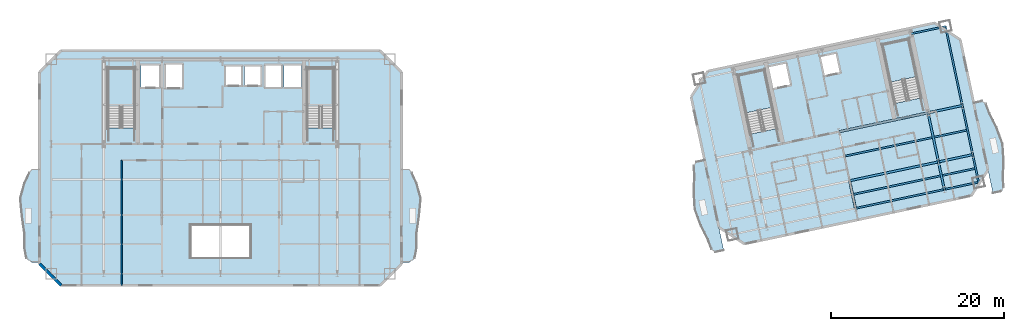
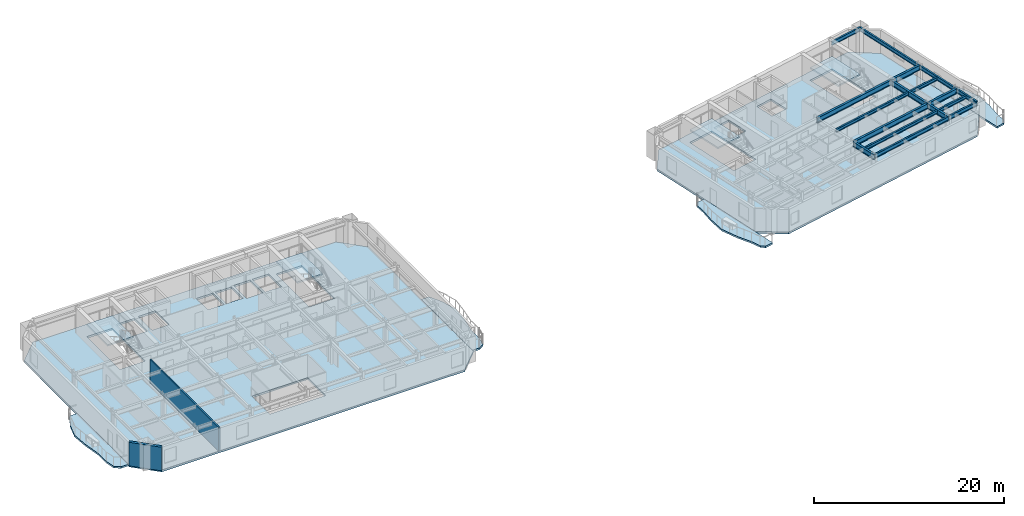
# One storey, part 4 of 13: 17 beams, 10 slabs, 2 walls, 4 elements without a shape of their own.
"""IFC4 building model written with IfcOpenShell, lengths in metres."""

import ifcopenshell
import ifcopenshell.guid

model = None  # the IFC model being written
_history = None  # IfcOwnerHistory: only IFC2X3 demands one
_inside = {}  # id of a spatial element -> (the spatial element, [elements in it])
_under = {}  # id of a project, library or spatial element -> (it, [spatial elements below it])
_declared = {}  # id of a project -> (the project, [libraries it declares])
_typed = {}  # id of a type object -> (the type object, [elements of that type])
_made_of = {}  # id of a material, layer set ... -> (it, [elements and type objects made of it])


def new_model(schema):
    """Start an empty IFC model of exactly this schema.

    Asked for "IFC4X3", IfcOpenShell would pick the latest addendum, in which some entities
    have other attributes; the version numbers below select the first issue.
    IFC2X3 requires an IfcOwnerHistory on every rooted entity: one is made here for all.
    """
    global model, _history
    if schema == "IFC4X3":
        model = ifcopenshell.file(schema_version=(4, 3, 0, 0))
    else:
        model = ifcopenshell.file(schema=schema)
    _inside.clear()
    _under.clear()
    _declared.clear()
    _typed.clear()
    _made_of.clear()
    _history = None
    if model.schema == "IFC2X3":
        org = make("IfcOrganization", Name="unknown")
        user = make(
            "IfcPersonAndOrganization",
            ThePerson=make("IfcPerson", FamilyName="unknown"),
            TheOrganization=org,
        )
        app = make(
            "IfcApplication",
            ApplicationDeveloper=org,
            Version="unknown",
            ApplicationFullName="unknown",
            ApplicationIdentifier="unknown",
        )
        _history = make(
            "IfcOwnerHistory",
            OwningUser=user,
            OwningApplication=app,
            ChangeAction="ADDED",
            CreationDate=0,
        )
    return model


def make(cls, **values):
    """One entity of the class cls with the attributes given. An attribute that is None is left unset."""
    return model.create_entity(
        cls, **{name: value for name, value in values.items() if value is not None}
    )


def rooted(cls, **values):
    """An entity with a GlobalId (a new one), such as an element, a storey or a relation."""
    return make(cls, GlobalId=ifcopenshell.guid.new(), OwnerHistory=_history, **values)


def si_unit(unit_type, name, prefix=None):
    """IfcSIUnit, for example si_unit("LENGTHUNIT", "METRE", prefix="MILLI")."""
    return make("IfcSIUnit", UnitType=unit_type, Prefix=prefix, Name=name)


def assignment(units):
    """IfcUnitAssignment: the units of a project."""
    return None if units is None else make("IfcUnitAssignment", Units=units)


def point(xyz):
    """IfcCartesianPoint."""
    return None if xyz is None else make("IfcCartesianPoint", Coordinates=xyz)


def direction(xyz):
    """IfcDirection."""
    return None if xyz is None else make("IfcDirection", DirectionRatios=xyz)


def frame(location, z_axis=None, x_axis=None):
    """IfcAxis2Placement3D, a coordinate frame: its origin and axes. An axis left out is left unset."""
    return make(
        "IfcAxis2Placement3D",
        Location=point(location),
        Axis=direction(z_axis),
        RefDirection=direction(x_axis),
    )


def frame_2d(location, x_axis=None):
    """IfcAxis2Placement2D, a coordinate frame in the plane: its origin and x axis."""
    return make(
        "IfcAxis2Placement2D", Location=point(location), RefDirection=direction(x_axis)
    )


def origin():
    """The frame at (0, 0, 0) with its axes left unset."""
    return frame((0.0, 0.0, 0.0))


def origin_2d():
    """The frame at (0, 0) in the plane with its x axis left unset."""
    return frame_2d((0.0, 0.0))


def place(relative_to, where):
    """IfcLocalPlacement: puts the frame where relative to a parent placement (None: the world)."""
    return make(
        "IfcLocalPlacement", PlacementRelTo=relative_to, RelativePlacement=where
    )


def context(
    kind, dimensions, precision=None, world=None, true_north=None, identifier=None
):
    """IfcGeometricRepresentationContext, for example the 3D "Model" context."""
    return make(
        "IfcGeometricRepresentationContext",
        ContextIdentifier=identifier,
        ContextType=kind,
        CoordinateSpaceDimension=dimensions,
        Precision=precision,
        WorldCoordinateSystem=world,
        TrueNorth=true_north,
    )


def subcontext(parent, identifier, kind, view, scale=None):
    """IfcGeometricRepresentationSubContext, for example "Body" below "Model"."""
    return make(
        "IfcGeometricRepresentationSubContext",
        ContextIdentifier=identifier,
        ContextType=kind,
        ParentContext=parent,
        TargetScale=scale,
        TargetView=view,
    )


def project(units=None, contexts=None):
    """IfcProject with its units and contexts."""
    return rooted(
        "IfcProject",
        Name="project",
        RepresentationContexts=contexts,
        UnitsInContext=assignment(units),
    )


def spatial(cls, under=None, at=None, **own):
    """A site, building, storey or space (cls), placed at a placement, below another one or the project."""
    s = rooted(cls, ObjectPlacement=at, **own)
    if under is not None:
        _under.setdefault(under.id(), (under, []))[1].append(s)
    return s


def polyline(points):
    """IfcPolyline through the points."""
    return make("IfcPolyline", Points=[point(p) for p in points])


def profile(cls, at=None, kind="AREA", **sizes):
    """A parametric profile (cls). Its sizes go by their IFC names, for example OverallWidth=200.0."""
    return make(cls, ProfileType=kind, Position=at, **sizes)


def rectangle(**sizes):
    """IfcRectangleProfileDef."""
    return profile("IfcRectangleProfileDef", **sizes)


def i_section(**sizes):
    """IfcIShapeProfileDef."""
    return profile("IfcIShapeProfileDef", **sizes)


def outline(outer, holes=None, kind="AREA"):
    """IfcArbitraryClosedProfileDef: a profile drawn as a closed curve; with holes, ...WithVoids."""
    if holes is None:
        return make("IfcArbitraryClosedProfileDef", ProfileType=kind, OuterCurve=outer)
    return make(
        "IfcArbitraryProfileDefWithVoids",
        ProfileType=kind,
        OuterCurve=outer,
        InnerCurves=holes,
    )


def extrude(swept, where, along, depth):
    """IfcExtrudedAreaSolid: the profile swept, set in the frame where, extruded along a direction by depth."""
    return make(
        "IfcExtrudedAreaSolid",
        SweptArea=swept,
        Position=where,
        ExtrudedDirection=direction(along),
        Depth=depth,
    )


def shape(context_of_items, identifier, shape_type, items):
    """IfcShapeRepresentation: the items that make up one representation, for example the "Body"."""
    return make(
        "IfcShapeRepresentation",
        ContextOfItems=context_of_items,
        RepresentationIdentifier=identifier,
        RepresentationType=shape_type,
        Items=items,
    )


def material(Name=None, Category=None):
    """IfcMaterial."""
    return make("IfcMaterial", Name=Name, Category=Category)


def layer(
    of_material, thickness, ventilated=None, Name=None, Category=None, Priority=None
):
    """IfcMaterialLayer: one layer of a wall or slab, of a material (None: an air gap)."""
    return make(
        "IfcMaterialLayer",
        Material=of_material,
        LayerThickness=thickness,
        IsVentilated=ventilated,
        Name=Name,
        Category=Category,
        Priority=Priority,
    )


def layer_set(layers, Name=None):
    """IfcMaterialLayerSet."""
    return make("IfcMaterialLayerSet", MaterialLayers=layers, LayerSetName=Name)


def material_profile(
    of_material, cross_section, Name=None, Category=None, Priority=None
):
    """IfcMaterialProfile: a cross section and its material."""
    return make(
        "IfcMaterialProfile",
        Name=Name,
        Material=of_material,
        Profile=cross_section,
        Priority=Priority,
        Category=Category,
    )


def profile_set(profiles, Name=None, composite=None):
    """IfcMaterialProfileSet."""
    return make(
        "IfcMaterialProfileSet",
        Name=Name,
        MaterialProfiles=profiles,
        CompositeProfile=composite,
    )


def made_of(thing, what):
    """Note that an element or type object is made of a material, layer set ...; save() writes the relation."""
    if what is not None:
        _made_of.setdefault(what.id(), (what, []))[1].append(thing)
    return thing


def type_object(cls, material=None, **own):
    """A type object (cls), such as IfcWallType, which elements share."""
    return made_of(rooted(cls, **own), material)


def element(
    cls,
    number,
    at=None,
    inside=None,
    cuts=None,
    type_object=None,
    material=None,
    context=None,
    identifier="Body",
    shape_type=None,
    held_by="IfcProductDefinitionShape",
    body=None,
    shapes=None,
    **own,
):
    """One element of the class cls, such as IfcWall. Its Tag is "e" and its number.

    at: its placement. inside: the storey or other place that contains it. cuts: it is an
    opening in that element (IfcRelVoidsElement). A single representation is given by context,
    identifier, shape_type and body (its items); several are given by shapes. held_by: the class
    of the entity that holds the representations. save() writes the other relations.
    """
    e = rooted(cls, Tag="e%d" % number, ObjectPlacement=at, **own)
    if body is not None:
        shapes = [shape(context, identifier, shape_type, body)]
    if shapes is not None:
        e.Representation = make(held_by, Representations=shapes)
    if inside is not None:
        _inside.setdefault(inside.id(), (inside, []))[1].append(e)
    if cuts is not None:
        rooted(
            "IfcRelVoidsElement", RelatingBuildingElement=cuts, RelatedOpeningElement=e
        )
    if type_object is not None:
        _typed.setdefault(type_object.id(), (type_object, []))[1].append(e)
    return made_of(e, material)


def aggregate(whole, parts):
    """IfcRelAggregates: a whole, such as a stair, and the parts it consists of."""
    return rooted("IfcRelAggregates", RelatingObject=whole, RelatedObjects=parts)


def save(model, path):
    """Write the relations noted so far, then the file.

    IfcRelAggregates (storeys below a building ...), IfcRelContainedInSpatialStructure (elements
    in a storey), IfcRelDefinesByType, IfcRelAssociatesMaterial and IfcRelDeclares: one each for
    every whole, place, type object, material and project.
    """
    for whole, parts in _under.values():
        aggregate(whole, parts)
    for where, things in _inside.values():
        rooted(
            "IfcRelContainedInSpatialStructure",
            RelatedElements=things,
            RelatingStructure=where,
        )
    for kind, things in _typed.values():
        rooted("IfcRelDefinesByType", RelatedObjects=things, RelatingType=kind)
    for what, things in _made_of.values():
        rooted("IfcRelAssociatesMaterial", RelatedObjects=things, RelatingMaterial=what)
    for by, libraries in _declared.values():
        rooted("IfcRelDeclares", RelatingContext=by, RelatedDefinitions=libraries)
    model.write(path)


model = new_model("IFC4")

# Units and contexts
model_context = context("Model", 3, precision=1e-05, world=origin(), true_north=direction((0.0, 1.0)))
body_context = subcontext(model_context, "Body", "Model", "MODEL_VIEW")
ifc_project = project(units=[si_unit("LENGTHUNIT", "METRE"), si_unit("AREAUNIT", "SQUARE_METRE"), si_unit("VOLUMEUNIT", "CUBIC_METRE"), si_unit("PLANEANGLEUNIT", "RADIAN"), si_unit("MASSUNIT", "GRAM", prefix="KILO")], contexts=[model_context])

# Site, building, storey
site_placement = place(None, origin())
site = spatial("IfcSite", under=ifc_project, at=site_placement, CompositionType="ELEMENT")
building_placement = place(site_placement, origin())
building = spatial("IfcBuilding", under=site, at=building_placement, Name="Haevon Station Towers", CompositionType="ELEMENT")
storey_placement = place(building_placement, frame((0.0, 0.0, 162.60009765625)))
storey = spatial("IfcBuildingStorey", under=building, at=storey_placement, Name="L44", CompositionType="ELEMENT", Elevation=162.60009765625)

# Beams
ifc_material_1 = material(Name="Steel S355", Category="steel")
ifc_material_profile_1 = material_profile(ifc_material_1, i_section(OverallWidth=0.25, OverallDepth=0.64990234375, WebThickness=0.012939453125, FlangeThickness=0.02197265625, at=origin_2d()), Name="H-650x250x13x22")
ifc_profile_set_1 = profile_set([ifc_material_profile_1], Name="Steel S355")
beam_type_1 = type_object("IfcBeamType", Name="BM-G650", PredefinedType="BEAM", material=ifc_profile_set_1)
beam_1_placement = place(storey_placement, frame((110.228759765625, 33.9521484375, 2.724853515625), z_axis=(0.978146794194, 0.207915485254, 0.0), x_axis=(-0.207915485254, 0.978146794194, 0.0)))
element("IfcBeam", 1, at=beam_1_placement, inside=storey, type_object=beam_type_1, Name="BM-T2U-L44-02-03", PredefinedType="BEAM", context=body_context, shape_type="SweptSolid", body=[
    extrude(i_section(OverallWidth=0.25, OverallDepth=0.64990234375, WebThickness=0.012939453125, FlangeThickness=0.02197265625, at=origin_2d()), origin(), (0.0, 0.0, 1.0), 10.5),
])
beam_2_placement = place(storey_placement, frame((120.499267578125, 36.13525390625, 2.724853515625), z_axis=(0.978149504816, 0.207902732613, 0.0), x_axis=(-0.207902732613, 0.978149504816, 0.0)))
element("IfcBeam", 2, at=beam_2_placement, inside=storey, type_object=beam_type_1, Name="BM-T2U-L44-02-04", PredefinedType="BEAM", context=body_context, shape_type="SweptSolid", body=[
    extrude(i_section(OverallWidth=0.25, OverallDepth=0.64990234375, WebThickness=0.012939453125, FlangeThickness=0.02197265625, at=origin_2d()), origin(), (0.0, 0.0, 1.0), 4.050048828125),
])
beam_3_placement = place(storey_placement, frame((109.02294921875, 39.62548828125, 2.724853515625), z_axis=(0.978146794194, 0.207915485254, 0.0), x_axis=(-0.207915485254, 0.978146794194, 0.0)))
element("IfcBeam", 3, at=beam_3_placement, inside=storey, type_object=beam_type_1, Name="BM-T2U-L44-03-03", PredefinedType="BEAM", context=body_context, shape_type="SweptSolid", body=[
    extrude(i_section(OverallWidth=0.25, OverallDepth=0.64990234375, WebThickness=0.012939453125, FlangeThickness=0.02197265625, at=origin_2d()), origin(), (0.0, 0.0, 1.0), 10.5),
])
beam_4_placement = place(storey_placement, frame((119.29345703125, 41.80859375, 2.724853515625), z_axis=(0.978146899108, 0.207914991681, 0.0), x_axis=(-0.207914991681, 0.978146899108, 0.0)))
element("IfcBeam", 4, at=beam_4_placement, inside=storey, type_object=beam_type_1, Name="BM-T2U-L44-03-04", PredefinedType="BEAM", context=body_context, shape_type="SweptSolid", body=[
    extrude(i_section(OverallWidth=0.25, OverallDepth=0.64990234375, WebThickness=0.012939453125, FlangeThickness=0.02197265625, at=origin_2d()), origin(), (0.0, 0.0, 1.0), 4.050048828125),
])
for number, where, z_axis, x_axis, name in (
    (5, (110.906494140625, 30.763427734375, 2.724853515625), (-0.207897270364, 0.978150665785, 0.0), (-0.978150665785, -0.207897270364, 0.0), "BM-T2V-L44-03-01"),
    (6, (121.17724609375, 32.946533203125, 2.724853515625), (-0.207968922755, 0.97813543396, 0.0), (-0.97813543396, -0.207968922755, 0.0), "BM-T2V-L44-04-01"),
):
    element("IfcBeam", number, at=place(storey_placement, frame(where, z_axis=z_axis, x_axis=x_axis)), inside=storey, type_object=beam_type_1, Name=name, PredefinedType="BEAM", context=body_context, shape_type="SweptSolid", body=[
        extrude(i_section(OverallWidth=0.25, OverallDepth=0.64990234375, WebThickness=0.012939453125, FlangeThickness=0.02197265625, at=origin_2d()), origin(), (0.0, 0.0, 1.0), 3.260009765625),
    ])
beam_5_placement = place(storey_placement, frame((120.499267578125, 36.13525390625, 2.724853515625), z_axis=(-0.207896009217, 0.97815093383, 0.0), x_axis=(-0.97815093383, -0.207896009217, 0.0)))
element("IfcBeam", 7, at=beam_5_placement, inside=storey, type_object=beam_type_1, Name="BM-T2V-L44-04-02", PredefinedType="BEAM", context=body_context, shape_type="SweptSolid", body=[
    extrude(i_section(OverallWidth=0.25, OverallDepth=0.64990234375, WebThickness=0.012939453125, FlangeThickness=0.02197265625, at=origin_2d()), origin(), (0.0, 0.0, 1.0), 5.800048828125),
])
ifc_material_profile_2 = material_profile(ifc_material_1, i_section(OverallWidth=0.199951171875, OverallDepth=0.39990234375, WebThickness=0.008056640625, FlangeThickness=0.012939453125, at=origin_2d()), Name="H-400x200x8x13")
ifc_profile_set_2 = profile_set([ifc_material_profile_2], Name="Steel S355")
beam_type_2 = type_object("IfcBeamType", Name="BM-J400", PredefinedType="JOIST", material=ifc_profile_set_2)
beam_6_placement = place(storey_placement, frame((110.67529296875, 32.380615234375, 2.849853515625), z_axis=(0.978145509903, 0.207921527161, 0.0), x_axis=(-0.207921527161, 0.978145509903, 0.0)))
element("IfcBeam", 8, at=beam_6_placement, inside=storey, type_object=beam_type_2, Name="BM-T2J-L44-01-03", PredefinedType="JOIST", context=body_context, shape_type="SweptSolid", body=[
    extrude(i_section(OverallWidth=0.199951171875, OverallDepth=0.39990234375, WebThickness=0.008056640625, FlangeThickness=0.012939453125, at=origin_2d()), origin(), (0.0, 0.0, 1.0), 10.280029296875),
])
beam_7_placement = place(storey_placement, frame((120.94580078125, 34.563720703125, 2.849853515625), z_axis=(0.97814345794, 0.207931180176, 0.0), x_axis=(-0.207931180176, 0.97814345794, 0.0)))
element("IfcBeam", 9, at=beam_7_placement, inside=storey, type_object=beam_type_2, Name="BM-T2J-L44-01-04", PredefinedType="JOIST", context=body_context, shape_type="SweptSolid", body=[
    extrude(i_section(OverallWidth=0.199951171875, OverallDepth=0.39990234375, WebThickness=0.008056640625, FlangeThickness=0.012939453125, at=origin_2d()), origin(), (0.0, 0.0, 1.0), 3.830078125),
])
beam_8_placement = place(storey_placement, frame((109.7333984375, 36.811767578125, 2.849853515625), z_axis=(0.978150339653, 0.207898804801, 0.0), x_axis=(-0.207898804801, 0.978150339653, 0.0)))
element("IfcBeam", 10, at=beam_8_placement, inside=storey, type_object=beam_type_2, Name="BM-T2J-L44-02-03", PredefinedType="JOIST", context=body_context, shape_type="SweptSolid", body=[
    extrude(i_section(OverallWidth=0.199951171875, OverallDepth=0.39990234375, WebThickness=0.008056640625, FlangeThickness=0.012939453125, at=origin_2d()), origin(), (0.0, 0.0, 1.0), 10.280029296875),
])
beam_9_placement = place(storey_placement, frame((120.00390625, 38.994873046875, 2.849853515625), z_axis=(0.978156420772, 0.207870191472, 0.0), x_axis=(-0.207870191472, 0.978156420772, 0.0)))
element("IfcBeam", 11, at=beam_9_placement, inside=storey, type_object=beam_type_2, Name="BM-T2J-L44-02-04", PredefinedType="JOIST", context=body_context, shape_type="SweptSolid", body=[
    extrude(i_section(OverallWidth=0.199951171875, OverallDepth=0.39990234375, WebThickness=0.008056640625, FlangeThickness=0.012939453125, at=origin_2d()), origin(), (0.0, 0.0, 1.0), 3.830078125),
])
ifc_material_profile_3 = material_profile(ifc_material_1, i_section(OverallWidth=0.199951171875, OverallDepth=0.5, WebThickness=0.010009765625, FlangeThickness=0.01611328125, at=origin_2d()), Name="H-500x200x10x16")
ifc_profile_set_3 = profile_set([ifc_material_profile_3], Name="Steel S355")
beam_type_3 = type_object("IfcBeamType", Name="BM-SP500", PredefinedType="SPANDREL", material=ifc_profile_set_3)
beam_10_placement = place(storey_placement, frame((110.906494140625, 30.763427734375, 2.7998046875), z_axis=(0.978147799298, 0.207910756646, 0.0), x_axis=(-0.207910756646, 0.978147799298, 0.0)))
element("IfcBeam", 12, at=beam_10_placement, inside=storey, type_object=beam_type_3, Name="BM-T2U-L44-01-03", PredefinedType="SPANDREL", context=body_context, shape_type="SweptSolid", body=[
    extrude(i_section(OverallWidth=0.199951171875, OverallDepth=0.5, WebThickness=0.010009765625, FlangeThickness=0.01611328125, at=origin_2d()), origin(), (0.0, 0.0, 1.0), 10.500244140625),
])
for number, where, z_axis, x_axis, name in (
    (13, (121.17724609375, 32.946533203125, 2.7998046875), (0.978146899108, 0.207914991681, 0.0), (-0.207914991681, 0.978146899108, 0.0), "BM-T2U-L44-01-04"),
    (14, (117.349365234375, 50.954345703125, 2.7998046875), (0.978149504816, 0.207902732613, 0.0), (-0.207902732613, 0.978149504816, 0.0), "BM-T2U-L44-04-04"),
):
    element("IfcBeam", number, at=place(storey_placement, frame(where, z_axis=z_axis, x_axis=x_axis)), inside=storey, type_object=beam_type_3, Name=name, PredefinedType="SPANDREL", context=body_context, shape_type="SweptSolid", body=[
        extrude(i_section(OverallWidth=0.199951171875, OverallDepth=0.5, WebThickness=0.010009765625, FlangeThickness=0.01611328125, at=origin_2d()), origin(), (0.0, 0.0, 1.0), 4.050048828125),
    ])
beam_11_placement = place(storey_placement, frame((125.138671875, 33.78857421875, 2.7998046875), z_axis=(-0.207897270364, 0.978150665785, 0.0), x_axis=(-0.978150665785, -0.207897270364, 0.0)))
element("IfcBeam", 15, at=beam_11_placement, inside=storey, type_object=beam_type_3, Name="BM-T2V-L44-05-01", PredefinedType="SPANDREL", context=body_context, shape_type="SweptSolid", body=[
    extrude(i_section(OverallWidth=0.199951171875, OverallDepth=0.5, WebThickness=0.010009765625, FlangeThickness=0.01611328125, at=origin_2d()), origin(), (0.0, 0.0, 1.0), 3.260009765625),
])
beam_12_placement = place(storey_placement, frame((124.4609375, 36.977294921875, 2.7998046875), z_axis=(-0.207936282142, 0.978142373363, 0.0), x_axis=(-0.978142373363, -0.207936282142, 0.0)))
element("IfcBeam", 16, at=beam_12_placement, inside=storey, type_object=beam_type_3, Name="BM-T2V-L44-05-02", PredefinedType="SPANDREL", context=body_context, shape_type="SweptSolid", body=[
    extrude(i_section(OverallWidth=0.199951171875, OverallDepth=0.5, WebThickness=0.010009765625, FlangeThickness=0.01611328125, at=origin_2d()), origin(), (0.0, 0.0, 1.0), 5.800048828125),
])
beam_13_placement = place(storey_placement, frame((123.2548828125, 42.650634765625, 2.7998046875), z_axis=(-0.207897167074, 0.978150687738, 0.0), x_axis=(-0.978150687738, -0.207897167074, 0.0)))
element("IfcBeam", 17, at=beam_13_placement, inside=storey, type_object=beam_type_3, Name="BM-T2V-L44-05-03", PredefinedType="SPANDREL", context=body_context, shape_type="SweptSolid", body=[
    extrude(i_section(OverallWidth=0.199951171875, OverallDepth=0.5, WebThickness=0.010009765625, FlangeThickness=0.01611328125, at=origin_2d()), origin(), (0.0, 0.0, 1.0), 9.35009765625),
])

# Slabs
ifc_material_2 = material(Name="Concrete C40/50", Category="concrete")
ifc_layer_1 = layer(ifc_material_2, 0.219970703125)
ifc_layer_set_1 = layer_set([ifc_layer_1], Name="Concrete C40/50")
slab_type_1 = type_object("IfcSlabType", Name="SL-BALC220", PredefinedType="FLOOR", material=ifc_layer_set_1)
slab_1_placement = place(storey_placement, frame((0.0, 0.0, -0.22021484375)))
element("IfcSlab", 18, at=slab_1_placement, inside=storey, type_object=slab_type_1, Name="Tower 1 L44 West SCALLOPED BALCONY", PredefinedType="FLOOR", context=body_context, shape_type="SweptSolid", body=[
    extrude(outline(polyline([(16.570068359375, 35.324951171875), (15.68798828125, 35.324951171875), (15.384765625, 34.9140625), (14.82666015625, 33.743408203125), (14.320068359375, 31.991455078125), (14.469970703125, 29.925048828125), (14.80517578125, 27.8583984375), (14.82666015625, 26.106689453125), (15.05908203125, 24.93603515625), (15.68798828125, 24.52490234375), (16.570068359375, 24.52490234375), (16.570068359375, 35.324951171875)])), origin(), (0.0, 0.0, 1.0), 0.22021484375),
])
slab_2_placement = place(storey_placement, frame((0.0, 0.0, -0.22021484375)))
element("IfcSlab", 19, at=slab_2_placement, inside=storey, type_object=slab_type_1, Name="Tower 1 L44 East SCALLOPED BALCONY", PredefinedType="FLOOR", context=body_context, shape_type="SweptSolid", body=[
    extrude(outline(polyline([(58.429931640625, 24.52490234375), (59.31201171875, 24.52490234375), (59.94091796875, 24.93603515625), (60.17333984375, 26.106689453125), (60.19482421875, 27.8583984375), (60.530029296875, 29.925048828125), (60.679931640625, 31.991455078125), (60.17333984375, 33.743408203125), (59.615234375, 34.9140625), (59.31201171875, 35.324951171875), (58.429931640625, 35.324951171875), (58.429931640625, 24.52490234375)])), origin(), (0.0, 0.0, 1.0), 0.22021484375),
])
slab_3_placement = place(storey_placement, frame((0.0, 0.0, -0.22021484375)))
element("IfcSlab", 20, at=slab_3_placement, inside=storey, type_object=slab_type_1, Name="Tower 2 L44 West SCALLOPED BALCONY", PredefinedType="FLOOR", context=body_context, shape_type="SweptSolid", body=[
    extrude(outline(polyline([(93.44580078125, 36.41162109375), (92.478759765625, 36.2060546875), (92.212646484375, 35.729248046875), (92.275390625, 34.5458984375), (92.17529296875, 32.733642578125), (92.26611328125, 30.64013671875), (93.03466796875, 28.69091796875), (93.86328125, 27.075927734375), (94.287109375, 25.96923828125), (94.72412109375, 25.64208984375), (95.691162109375, 25.84765625), (93.44580078125, 36.41162109375)])), origin(), (0.0, 0.0, 1.0), 0.22021484375),
])
slab_4_placement = place(storey_placement, frame((0.0, 0.0, -0.22021484375)))
element("IfcSlab", 21, at=slab_4_placement, inside=storey, type_object=slab_type_1, Name="Tower 2 L44 East SCALLOPED BALCONY", PredefinedType="FLOOR", context=body_context, shape_type="SweptSolid", body=[
    extrude(outline(polyline([(126.80615234375, 32.461181640625), (127.77294921875, 32.666748046875), (128.039306640625, 33.1435546875), (127.976318359375, 34.326904296875), (128.076416015625, 36.13916015625), (127.985595703125, 38.232666015625), (127.217041015625, 40.181884765625), (126.388427734375, 41.796875), (125.964599609375, 42.903564453125), (125.527587890625, 43.230712890625), (124.560546875, 43.025146484375), (126.80615234375, 32.461181640625)])), origin(), (0.0, 0.0, 1.0), 0.22021484375),
])

# Stair, slab
stair_type = type_object("IfcStairType", Name="STR-DL1450", PredefinedType="USERDEFINED", material=ifc_material_2)
stair_1_placement = place(storey_placement, origin())
stair_1 = element("IfcStair", 22, at=stair_1_placement, inside=storey, type_object=stair_type, Name="L44 Escape Stair ST1", ObjectType="TWO_RETURN_STAIR", PredefinedType="USERDEFINED")
ifc_layer_2 = layer(ifc_material_2, 0.199951171875)
ifc_layer_set_2 = layer_set([ifc_layer_2], Name="Concrete C40/50")
slab_type_2 = type_object("IfcSlabType", Name="SL-LND200", PredefinedType="LANDING", material=ifc_layer_set_2)
slab_5_placement = place(storey_placement, frame((0.0, 0.0, 1.449951171875)))
slab_5 = element("IfcSlab", 23, at=slab_5_placement, type_object=slab_type_2, Name="L44 ST1 Half Landing 1", PredefinedType="LANDING", context=body_context, shape_type="SweptSolid", body=[
    extrude(outline(polyline([(27.580078125, 42.56396484375), (27.580078125, 47.0), (24.47998046875, 47.0), (24.47998046875, 42.56396484375), (27.580078125, 42.56396484375)])), origin(), (0.0, 0.0, 1.0), 0.199951171875),
])
aggregate(stair_1, [slab_5])

stair_2_placement = place(storey_placement, origin())
stair_2 = element("IfcStair", 24, at=stair_2_placement, inside=storey, type_object=stair_type, Name="L44 Escape Stair ST2", ObjectType="TWO_RETURN_STAIR", PredefinedType="USERDEFINED")
slab_6_placement = place(storey_placement, frame((0.0, 0.0, 1.449951171875)))
slab_6 = element("IfcSlab", 25, at=slab_6_placement, type_object=slab_type_2, Name="L44 ST2 Half Landing 1", PredefinedType="LANDING", context=body_context, shape_type="SweptSolid", body=[
    extrude(outline(polyline([(50.6201171875, 42.56396484375), (50.6201171875, 47.0), (47.52001953125, 47.0), (47.52001953125, 42.56396484375), (50.6201171875, 42.56396484375)])), origin(), (0.0, 0.0, 1.0), 0.199951171875),
])
aggregate(stair_2, [slab_6])

stair_3_placement = place(storey_placement, origin())
stair_3 = element("IfcStair", 26, at=stair_3_placement, inside=storey, type_object=stair_type, Name="L44 Escape Stair ST3", ObjectType="TWO_RETURN_STAIR", PredefinedType="USERDEFINED")
slab_7_placement = place(storey_placement, frame((0.0, 0.0, 1.449951171875)))
slab_7 = element("IfcSlab", 27, at=slab_7_placement, type_object=slab_type_2, Name="L44 ST3 Half Landing 1", PredefinedType="LANDING", context=body_context, shape_type="SweptSolid", body=[
    extrude(outline(polyline([(101.2880859375, 42.44287109375), (100.36572265625, 46.781982421875), (97.33349609375, 46.137451171875), (98.255859375, 41.79833984375), (101.2880859375, 42.44287109375)])), origin(), (0.0, 0.0, 1.0), 0.199951171875),
])
aggregate(stair_3, [slab_7])

stair_4_placement = place(storey_placement, origin())
stair_4 = element("IfcStair", 28, at=stair_4_placement, inside=storey, type_object=stair_type, Name="L44 Escape Stair ST4", ObjectType="TWO_RETURN_STAIR", PredefinedType="USERDEFINED")
slab_8_placement = place(storey_placement, frame((0.0, 0.0, 1.449951171875)))
slab_8 = element("IfcSlab", 29, at=slab_8_placement, type_object=slab_type_2, Name="L44 ST4 Half Landing 1", PredefinedType="LANDING", context=body_context, shape_type="SweptSolid", body=[
    extrude(outline(polyline([(117.975341796875, 45.989990234375), (117.052978515625, 50.328857421875), (114.020751953125, 49.684326171875), (114.943115234375, 45.345458984375), (117.975341796875, 45.989990234375)])), origin(), (0.0, 0.0, 1.0), 0.199951171875),
])
aggregate(stair_4, [slab_8])

# Slabs
ifc_layer_3 = layer(ifc_material_2, 0.25)
ifc_layer_set_3 = layer_set([ifc_layer_3], Name="Concrete C40/50")
slab_type_3 = type_object("IfcSlabType", Name="SL-TW250", PredefinedType="FLOOR", material=ifc_layer_set_3)
slab_9_placement = place(storey_placement, frame((0.0, 0.0, -0.25)))
element("IfcSlab", 30, at=slab_9_placement, inside=storey, type_object=slab_type_3, Name="SL-T1-L44", PredefinedType="FLOOR", context=body_context, shape_type="SweptSolid", body=[
    extrude(outline(polyline([(19.074951171875, 21.85009765625), (55.925048828125, 21.85009765625), (58.425048828125, 24.35009765625), (58.425048828125, 46.5), (55.925048828125, 49.0), (19.074951171875, 49.0), (16.574951171875, 46.5), (16.574951171875, 24.35009765625), (19.074951171875, 21.85009765625)]), holes=[polyline([(27.580078125, 40.055908203125), (27.580078125, 47.0), (24.47998046875, 47.0), (24.47998046875, 40.055908203125), (27.580078125, 40.055908203125)]), polyline([(50.6201171875, 40.055908203125), (50.6201171875, 47.0), (47.52001953125, 47.0), (47.52001953125, 40.055908203125), (50.6201171875, 40.055908203125)]), polyline([(28.300048828125, 44.699951171875), (30.5, 44.699951171875), (30.5, 47.39990234375), (28.300048828125, 47.39990234375), (28.300048828125, 44.699951171875)]), polyline([(31.050048828125, 44.60009765625), (33.14990234375, 44.60009765625), (33.14990234375, 47.5), (31.050048828125, 47.5), (31.050048828125, 44.60009765625)]), polyline([(38.0, 44.89990234375), (40.0, 44.89990234375), (40.0, 47.300048828125), (38.0, 47.300048828125), (38.0, 44.89990234375)]), polyline([(40.25, 44.89990234375), (42.25, 44.89990234375), (42.25, 47.300048828125), (40.25, 47.300048828125), (40.25, 44.89990234375)]), polyline([(42.60009765625, 44.699951171875), (44.60009765625, 44.699951171875), (44.60009765625, 47.39990234375), (42.60009765625, 47.39990234375), (42.60009765625, 44.699951171875)]), polyline([(44.85009765625, 44.699951171875), (46.85009765625, 44.699951171875), (46.85009765625, 47.39990234375), (44.85009765625, 47.39990234375), (44.85009765625, 44.699951171875)]), polyline([(34.10009765625, 25.050048828125), (40.89990234375, 25.050048828125), (40.89990234375, 28.85009765625), (34.10009765625, 28.85009765625), (34.10009765625, 25.050048828125)])]), origin(), (0.0, 0.0, 1.0), 0.25),
])
slab_10_placement = place(storey_placement, frame((0.0, 0.0, -0.25)))
element("IfcSlab", 31, at=slab_10_placement, inside=storey, type_object=slab_type_3, Name="SL-T2-L44", PredefinedType="FLOOR", context=body_context, shape_type="SweptSolid", body=[
    extrude(outline(polyline([(98.080078125, 26.656982421875), (124.29443359375, 32.22900390625), (126.219970703125, 35.194091796875), (123.01611328125, 50.267333984375), (120.051025390625, 52.19287109375), (93.836669921875, 46.620849609375), (91.9111328125, 43.65576171875), (95.114990234375, 28.58251953125), (98.080078125, 26.656982421875)]), holes=[polyline([(101.8095703125, 39.98974609375), (100.36572265625, 46.781982421875), (97.33349609375, 46.137451171875), (98.77734375, 39.34521484375), (101.8095703125, 39.98974609375)]), polyline([(118.496826171875, 43.53662109375), (117.052978515625, 50.328857421875), (114.020751953125, 49.684326171875), (115.464599609375, 42.89208984375), (118.496826171875, 43.53662109375)]), polyline([(101.43212890625, 44.554931640625), (103.486328125, 44.99169921875), (102.9248046875, 47.632568359375), (100.870849609375, 47.196044921875), (101.43212890625, 44.554931640625)]), polyline([(107.259521484375, 45.998046875), (109.2158203125, 46.413818359375), (108.716796875, 48.761474609375), (106.760498046875, 48.345703125), (107.259521484375, 45.998046875)])]), origin(), (0.0, 0.0, 1.0), 0.25),
])

# Walls
ifc_material_3 = material(Name="Precast concrete C45/55", Category="concrete")
ifc_layer_4 = layer(ifc_material_3, 0.300048828125)
ifc_layer_set_4 = layer_set([ifc_layer_4], Name="Precast concrete C45/55")
wall_type_1 = type_object("IfcWallType", Name="WL-EXT-PIER300", PredefinedType="SOLIDWALL", material=ifc_layer_set_4)
wall_1_placement = place(storey_placement, frame((19.074951171875, 21.85009765625, 0.0), z_axis=(0.0, 0.0, 1.0), x_axis=(-0.707106781187, 0.707106781187, 0.0)))
element("IfcWall", 32, at=wall_1_placement, inside=storey, type_object=wall_type_1, Name="WL-T1-L44-SWC", PredefinedType="SOLIDWALL", context=body_context, shape_type="SweptSolid", body=[
    extrude(rectangle(XDim=3.53564453125, YDim=0.300048828125, at=frame_2d((1.767822265625, 0.0))), origin(), (0.0, 0.0, 1.0), 3.02978515625),
])
ifc_material_4 = material(Name="Gypsum board on steel stud", Category="steel")
ifc_layer_5 = layer(ifc_material_4, 0.159912109375)
ifc_layer_set_5 = layer_set([ifc_layer_5], Name="Gypsum board on steel stud")
wall_type_2 = type_object("IfcWallType", Name="WL-PRT160", PredefinedType="PARTITIONING", material=ifc_layer_set_5)
wall_2_placement = place(storey_placement, frame((26.080078125, 21.85009765625, 0.0), z_axis=(0.0, 0.0, 1.0), x_axis=(0.0, 1.0, 0.0)))
element("IfcWall", 33, at=wall_2_placement, inside=storey, type_object=wall_type_2, Name="WL-T1PT-L44-01", PredefinedType="PARTITIONING", context=body_context, shape_type="SweptSolid", body=[
    extrude(rectangle(XDim=14.469970703125, YDim=0.159912109375, at=frame_2d((7.23486328125, 0.0))), origin(), (0.0, 0.0, 1.0), 3.02978515625),
])

save(model, "model.ifc")
